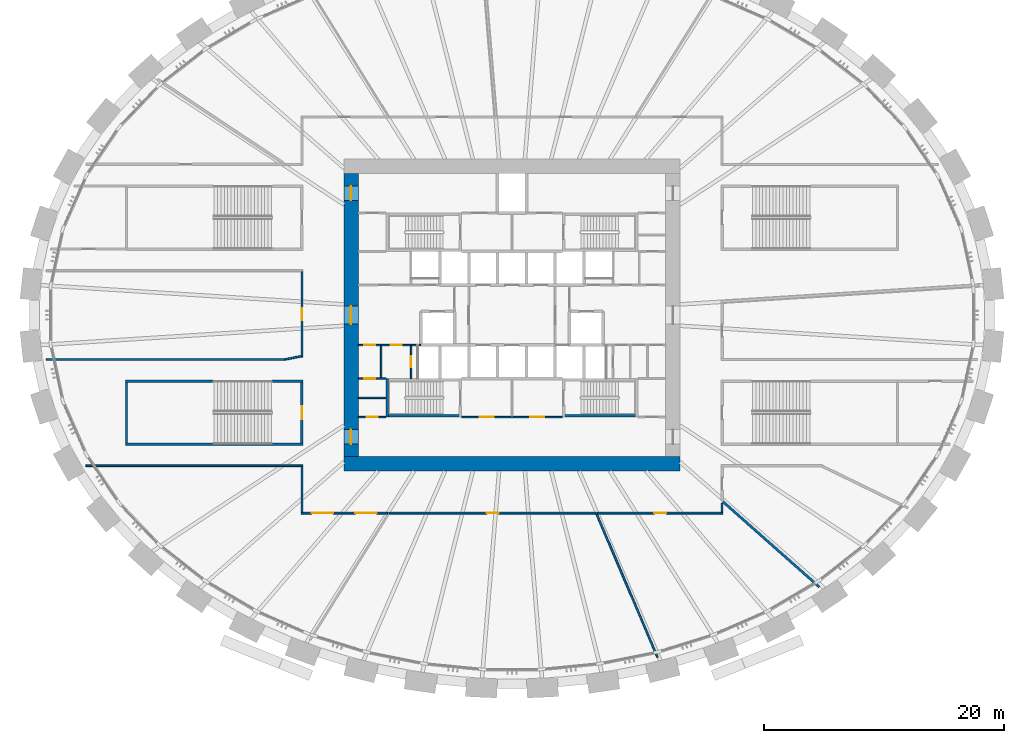
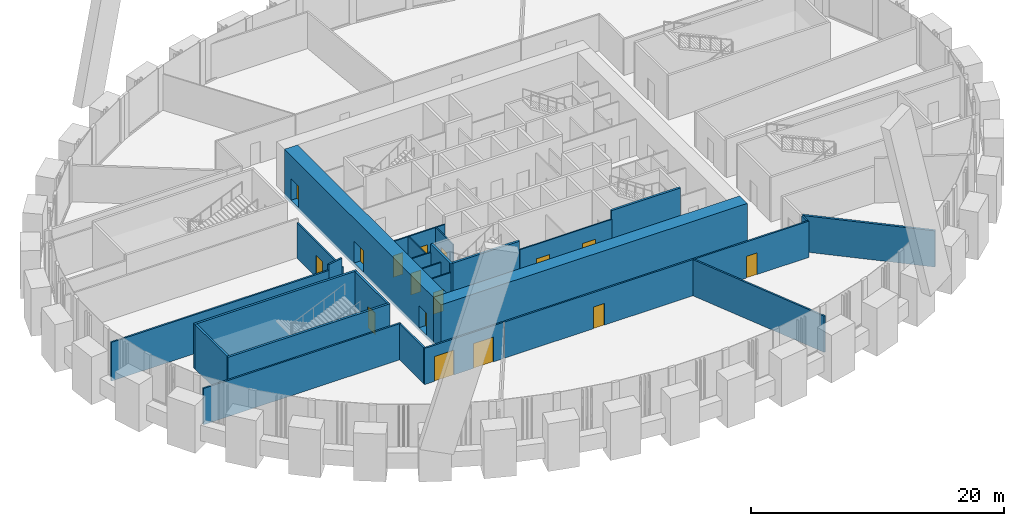
# One storey, part 6 of 21: 27 walls, 16 doors, 16 openings.
"""IFC4 building model written with IfcOpenShell, lengths in metres."""

from ifc_helpers import new_model, si_unit, direction, frame, frame_2d, origin, place, context, subcontext, project, spatial, rectangle, extrude, source, transform, mapped, material, layer, layer_set, type_object, element, fill, save


model = new_model("IFC4")

# Units and contexts
model_context = context("Model", 3, precision=1e-05, world=origin(), true_north=direction((0.0, 1.0)))
body_context = subcontext(model_context, "Body", "Model", "MODEL_VIEW")
ifc_project = project(units=[si_unit("LENGTHUNIT", "METRE"), si_unit("AREAUNIT", "SQUARE_METRE"), si_unit("VOLUMEUNIT", "CUBIC_METRE"), si_unit("PLANEANGLEUNIT", "RADIAN"), si_unit("MASSUNIT", "GRAM", prefix="KILO")], contexts=[model_context])

# Site, building, storey
site_placement = place(None, origin())
site = spatial("IfcSite", under=ifc_project, at=site_placement, CompositionType="ELEMENT")
building_placement = place(site_placement, origin())
building = spatial("IfcBuilding", under=site, at=building_placement, Name="Embergate Tower", CompositionType="ELEMENT")
storey_placement = place(building_placement, frame((0.0, 0.0, 33.5)))
storey = spatial("IfcBuildingStorey", under=building, at=storey_placement, Name="L04", CompositionType="ELEMENT", Elevation=33.5)

# Wall
ifc_material_1 = material(Name="Concrete C80", Category="concrete")
ifc_layer_1 = layer(ifc_material_1, 1.199951171875)
ifc_layer_set_1 = layer_set([ifc_layer_1], Name="Concrete C80")
wall_type_1 = type_object("IfcWallType", Name="Core outer wall C80 1200", PredefinedType="SHEAR", material=ifc_layer_set_1)
shared_shape_1 = source(origin(), body_context, "Body", "SweptSolid", [
    extrude(rectangle(XDim=28.0, YDim=1.199951171875, at=frame_2d((14.0, 0.0))), origin(), (0.0, 0.0, 1.0), 4.60009765625),
])
wall_1_placement = place(storey_placement, frame((-14.0, -12.39990234375, -0.300048828125), z_axis=(0.0, 0.0, 1.0), x_axis=(1.0, 0.0, 0.0)))
element("IfcWall", 1, at=wall_1_placement, inside=storey, type_object=wall_type_1, Name="CW-L04-S", PredefinedType="SHEAR", context=body_context, shape_type="MappedRepresentation", body=[
    mapped(shared_shape_1, transform((0.0, 0.0, 0.0))),
])

# Wall, openings, doors
shared_shape_2 = source(origin(), body_context, "Body", "SweptSolid", [
    extrude(rectangle(XDim=23.60009765625, YDim=1.199951171875, at=frame_2d((11.800048828125, 0.0))), origin(), (0.0, 0.0, 1.0), 4.60009765625),
])
wall_2_placement = place(storey_placement, frame((-13.39990234375, -11.800048828125, -0.300048828125), z_axis=(0.0, 0.0, 1.0), x_axis=(0.0, 1.0, 0.0)))
wall_2 = element("IfcWall", 2, at=wall_2_placement, inside=storey, type_object=wall_type_1, Name="CW-L04-W", PredefinedType="SHEAR", context=body_context, shape_type="MappedRepresentation", body=[
    mapped(shared_shape_2, transform((0.0, 0.0, 0.0))),
])
shared_shape_3 = source(origin(), body_context, "Body", "SweptSolid", [
    extrude(rectangle(XDim=1.199951171875, YDim=2.10009765625, at=frame_2d((0.60009765625, 1.050048828125))), frame((0.0, 0.60986328125, 0.0), z_axis=(0.0, -1.0, 0.0), x_axis=(1.0, 0.0, 0.0)), (0.0, 0.0, 1.0), 1.219970703125),
])
opening_1_placement = place(wall_2_placement, frame((21.35009765625, 0.0, 0.300048828125)))
opening_1 = element("IfcOpeningElement", 3, at=opening_1_placement, cuts=wall_2, Name="Opening IF-1", PredefinedType="OPENING", context=body_context, shape_type="MappedRepresentation", body=[
    mapped(shared_shape_3, transform((0.0, 0.0, 0.0))),
])
opening_2_placement = place(wall_2_placement, frame((1.050048828125, 0.0, 0.300048828125)))
opening_2 = element("IfcOpeningElement", 4, at=opening_2_placement, cuts=wall_2, Name="Opening IF-1", PredefinedType="OPENING", context=body_context, shape_type="MappedRepresentation", body=[
    mapped(shared_shape_3, transform((0.0, 0.0, 0.0))),
])
shared_shape_4 = source(origin(), body_context, "Body", "SweptSolid", [
    extrude(rectangle(XDim=1.5, YDim=2.10009765625, at=frame_2d((0.75, 1.050048828125))), frame((0.0, 0.60986328125, 0.0), z_axis=(0.0, -1.0, 0.0), x_axis=(1.0, 0.0, 0.0)), (0.0, 0.0, 1.0), 1.219970703125),
])
opening_3_placement = place(wall_2_placement, frame((11.050048828125, 0.0, 0.300048828125)))
opening_3 = element("IfcOpeningElement", 5, at=opening_3_placement, cuts=wall_2, Name="Opening IF-3", PredefinedType="OPENING", context=body_context, shape_type="MappedRepresentation", body=[
    mapped(shared_shape_4, transform((0.0, 0.0, 0.0))),
])
ifc_material_2 = material(Name="Escape fire door 1200")
door_type_1 = type_object("IfcDoorType", Name="Escape fire door 1200", OperationType="SINGLE_SWING_LEFT", PredefinedType="DOOR", material=ifc_material_2)
shared_shape_5 = source(origin(), body_context, "Body", "SweptSolid", [
    extrude(rectangle(XDim=1.199951171875, YDim=2.10009765625, at=frame_2d((0.60009765625, 1.050048828125))), frame((0.0, 0.02490234375, 0.0), z_axis=(0.0, -1.0, 0.0), x_axis=(1.0, 0.0, 0.0)), (0.0, 0.0, 1.0), 0.050048828125),
])
door_1_placement = place(opening_1_placement, origin())
door_1 = element("IfcDoor", 6, at=door_1_placement, inside=storey, type_object=door_type_1, Name="IF-1 door", OperationType="SINGLE_SWING_RIGHT", OverallHeight=2.10009765625, OverallWidth=1.199951171875, PredefinedType="DOOR", context=body_context, shape_type="MappedRepresentation", body=[
    mapped(shared_shape_5, transform((0.0, 0.0, 0.0))),
])
fill(opening_1, door_1)
door_2_placement = place(opening_2_placement, origin())
door_2 = element("IfcDoor", 7, at=door_2_placement, inside=storey, type_object=door_type_1, Name="IF-1 door", OperationType="SINGLE_SWING_RIGHT", OverallHeight=2.10009765625, OverallWidth=1.199951171875, PredefinedType="DOOR", context=body_context, shape_type="MappedRepresentation", body=[
    mapped(shared_shape_5, transform((0.0, 0.0, 0.0))),
])
fill(opening_2, door_2)
ifc_material_3 = material(Name="Lobby fire door pair 1500")
door_type_2 = type_object("IfcDoorType", Name="Lobby fire door pair 1500", OperationType="DOUBLE_DOOR_SINGLE_SWING", PredefinedType="DOOR", material=ifc_material_3)
shared_shape_6 = source(origin(), body_context, "Body", "SweptSolid", [
    extrude(rectangle(XDim=1.5, YDim=2.10009765625, at=frame_2d((0.75, 1.050048828125))), frame((0.0, 0.02490234375, 0.0), z_axis=(0.0, -1.0, 0.0), x_axis=(1.0, 0.0, 0.0)), (0.0, 0.0, 1.0), 0.050048828125),
])
door_3_placement = place(opening_3_placement, origin())
door_3 = element("IfcDoor", 8, at=door_3_placement, inside=storey, type_object=door_type_2, Name="IF-3 door", OperationType="DOUBLE_DOOR_SINGLE_SWING", OverallHeight=2.10009765625, OverallWidth=1.5, PredefinedType="DOOR", context=body_context, shape_type="MappedRepresentation", body=[
    mapped(shared_shape_6, transform((0.0, 0.0, 0.0))),
])
fill(opening_3, door_3)

# Walls
ifc_material_4 = material(Name="Concrete C50", Category="concrete")
ifc_layer_2 = layer(ifc_material_4, 0.199951171875)
ifc_layer_set_2 = layer_set([ifc_layer_2], Name="Concrete C50")
wall_type_2 = type_object("IfcWallType", Name="Stair enclosure wall reinforced concrete 250", PredefinedType="SHEAR", material=ifc_layer_set_2)
shared_shape_7 = source(origin(), body_context, "Body", "SweptSolid", [
    extrude(rectangle(XDim=6.300048828125, YDim=0.199951171875, at=frame_2d((3.14990234375, 0.0))), origin(), (0.0, 0.0, 1.0), 4.300048828125),
])
for number, where, z_axis, x_axis, name in (
    (9, (-10.5, -8.39990234375, 0.0), (0.0, 0.0, 1.0), (1.0, 0.0, 0.0), "SE-1 wall"),
    (10, (4.199951171875, -8.39990234375, 0.0), (0.0, 0.0, 1.0), (1.0, 0.0, 0.0), "SE-1 wall"),
):
    element("IfcWall", number, at=place(storey_placement, frame(where, z_axis=z_axis, x_axis=x_axis)), inside=storey, type_object=wall_type_2, Name=name, PredefinedType="SHEAR", context=body_context, shape_type="MappedRepresentation", body=[
        mapped(shared_shape_7, transform((0.0, 0.0, 0.0))),
    ])

# Wall, opening, door
ifc_material_5 = material(Name="Core partition blockwork 120")
ifc_layer_3 = layer(ifc_material_5, 0.1201171875)
ifc_layer_set_3 = layer_set([ifc_layer_3], Name="Core partition blockwork 120")
wall_type_3 = type_object("IfcWallType", Name="Core partition blockwork 120", PredefinedType="PARTITIONING", material=ifc_layer_set_3)
shared_shape_8 = source(origin(), body_context, "Body", "SweptSolid", [
    extrude(rectangle(XDim=2.739990234375, YDim=0.1201171875, at=frame_2d((1.3701171875, 0.0))), origin(), (0.0, 0.0, 1.0), 3.5),
])
wall_3_placement = place(storey_placement, frame((-8.39990234375, -2.56005859375, 0.0), z_axis=(0.0, 0.0, 1.0), x_axis=(0.0, -1.0, 0.0)))
wall_3 = element("IfcWall", 11, at=wall_3_placement, inside=storey, type_object=wall_type_3, Name="IP-3 wall", PredefinedType="PARTITIONING", context=body_context, shape_type="MappedRepresentation", body=[
    mapped(shared_shape_8, transform((0.0, 0.0, 0.0))),
])
shared_shape_9 = source(origin(), body_context, "Body", "SweptSolid", [
    extrude(rectangle(XDim=0.89990234375, YDim=2.10009765625, at=frame_2d((0.449951171875, 1.050048828125))), frame((0.0, 0.070068359375, 0.0), z_axis=(0.0, -1.0, 0.0), x_axis=(1.0, 0.0, 0.0)), (0.0, 0.0, 1.0), 0.14013671875),
])
opening_4_placement = place(wall_3_placement, frame((0.889892578125, 0.0, 0.0)))
opening_4 = element("IfcOpeningElement", 12, at=opening_4_placement, cuts=wall_3, Name="Opening ID-1", PredefinedType="OPENING", context=body_context, shape_type="MappedRepresentation", body=[
    mapped(shared_shape_9, transform((0.0, 0.0, 0.0))),
])
ifc_material_6 = material(Name="Interior door 900")
door_type_3 = type_object("IfcDoorType", Name="Interior door 900", OperationType="SINGLE_SWING_LEFT", PredefinedType="DOOR", material=ifc_material_6)
shared_shape_10 = source(origin(), body_context, "Body", "SweptSolid", [
    extrude(rectangle(XDim=0.89990234375, YDim=2.10009765625, at=frame_2d((0.449951171875, 1.050048828125))), frame((0.0, 0.02490234375, 0.0), z_axis=(0.0, -1.0, 0.0), x_axis=(1.0, 0.0, 0.0)), (0.0, 0.0, 1.0), 0.050048828125),
])
door_4_placement = place(opening_4_placement, origin())
door_4 = element("IfcDoor", 13, at=door_4_placement, inside=storey, type_object=door_type_3, Name="ID-1 door", OperationType="SINGLE_SWING_RIGHT", OverallHeight=2.10009765625, OverallWidth=0.89990234375, PredefinedType="DOOR", context=body_context, shape_type="MappedRepresentation", body=[
    mapped(shared_shape_10, transform((0.0, 0.0, 0.0))),
])
fill(opening_4, door_4)

# Wall, openings, doors
shared_shape_11 = source(origin(), body_context, "Body", "SweptSolid", [
    extrude(rectangle(XDim=5.199951171875, YDim=0.1201171875, at=frame_2d((2.60009765625, 0.0))), origin(), (0.0, 0.0, 1.0), 3.5),
])
wall_4_placement = place(storey_placement, frame((-7.60009765625, -2.5, 0.0), z_axis=(0.0, 0.0, 1.0), x_axis=(-1.0, 0.0, 0.0)))
wall_4 = element("IfcWall", 14, at=wall_4_placement, inside=storey, type_object=wall_type_3, Name="IP-3 wall", PredefinedType="PARTITIONING", context=body_context, shape_type="MappedRepresentation", body=[
    mapped(shared_shape_11, transform((0.0, 0.0, 0.0))),
])
opening_5_placement = place(wall_4_placement, frame((3.803955078125, 0.0, 0.0)))
opening_5 = element("IfcOpeningElement", 15, at=opening_5_placement, cuts=wall_4, Name="Opening ID-1", PredefinedType="OPENING", context=body_context, shape_type="MappedRepresentation", body=[
    mapped(shared_shape_9, transform((0.0, 0.0, 0.0))),
])
opening_6_placement = place(wall_4_placement, frame((1.60400390625, 0.0, 0.0)))
opening_6 = element("IfcOpeningElement", 16, at=opening_6_placement, cuts=wall_4, Name="Opening ID-1", PredefinedType="OPENING", context=body_context, shape_type="MappedRepresentation", body=[
    mapped(shared_shape_9, transform((0.0, 0.0, 0.0))),
])
door_5_placement = place(opening_5_placement, origin())
door_5 = element("IfcDoor", 17, at=door_5_placement, inside=storey, type_object=door_type_3, Name="ID-1 door", OperationType="SINGLE_SWING_LEFT", OverallHeight=2.10009765625, OverallWidth=0.89990234375, PredefinedType="DOOR", context=body_context, shape_type="MappedRepresentation", body=[
    mapped(shared_shape_10, transform((0.0, 0.0, 0.0))),
])
fill(opening_5, door_5)
door_6_placement = place(opening_6_placement, origin())
door_6 = element("IfcDoor", 18, at=door_6_placement, inside=storey, type_object=door_type_3, Name="ID-1 door", OperationType="SINGLE_SWING_LEFT", OverallHeight=2.10009765625, OverallWidth=0.89990234375, PredefinedType="DOOR", context=body_context, shape_type="MappedRepresentation", body=[
    mapped(shared_shape_10, transform((0.0, 0.0, 0.0))),
])
fill(opening_6, door_6)

# Wall
shared_shape_12 = source(origin(), body_context, "Body", "SweptSolid", [
    extrude(rectangle(XDim=3.199951171875, YDim=0.199951171875, at=frame_2d((1.60009765625, 0.0))), origin(), (0.0, 0.0, 1.0), 4.300048828125),
])
wall_5_placement = place(storey_placement, frame((-10.39990234375, -5.300048828125, 0.0), z_axis=(0.0, 0.0, 1.0), x_axis=(0.0, -1.0, 0.0)))
element("IfcWall", 19, at=wall_5_placement, inside=storey, type_object=wall_type_2, Name="SE-1 wall", PredefinedType="SHEAR", context=body_context, shape_type="MappedRepresentation", body=[
    mapped(shared_shape_12, transform((0.0, 0.0, 0.0))),
])

# Wall, openings, doors
shared_shape_13 = source(origin(), body_context, "Body", "SweptSolid", [
    extrude(rectangle(XDim=8.39990234375, YDim=0.1201171875, at=frame_2d((4.199951171875, 0.0))), origin(), (0.0, 0.0, 1.0), 3.5),
])
wall_6_placement = place(storey_placement, frame((-4.199951171875, -8.5, 0.0), z_axis=(0.0, 0.0, 1.0), x_axis=(1.0, 0.0, 0.0)))
wall_6 = element("IfcWall", 20, at=wall_6_placement, inside=storey, type_object=wall_type_3, Name="IP-3 wall", PredefinedType="PARTITIONING", context=body_context, shape_type="MappedRepresentation", body=[
    mapped(shared_shape_13, transform((0.0, 0.0, 0.0))),
])
shared_shape_14 = source(origin(), body_context, "Body", "SweptSolid", [
    extrude(rectangle(XDim=1.199951171875, YDim=2.10009765625, at=frame_2d((0.60009765625, 1.050048828125))), frame((0.0, 0.070068359375, 0.0), z_axis=(0.0, -1.0, 0.0), x_axis=(1.0, 0.0, 0.0)), (0.0, 0.0, 1.0), 0.14013671875),
])
opening_7_placement = place(wall_6_placement, frame((1.5, 0.0, 0.0)))
opening_7 = element("IfcOpeningElement", 21, at=opening_7_placement, cuts=wall_6, Name="Opening IF-3f", PredefinedType="OPENING", context=body_context, shape_type="MappedRepresentation", body=[
    mapped(shared_shape_14, transform((0.0, 0.0, 0.0))),
])
opening_8_placement = place(wall_6_placement, frame((5.699951171875, 0.0, 0.0)))
opening_8 = element("IfcOpeningElement", 22, at=opening_8_placement, cuts=wall_6, Name="Opening IF-3f", PredefinedType="OPENING", context=body_context, shape_type="MappedRepresentation", body=[
    mapped(shared_shape_14, transform((0.0, 0.0, 0.0))),
])
ifc_material_7 = material(Name="Lobby fire door pair 1200")
door_type_4 = type_object("IfcDoorType", Name="Lobby fire door pair 1200", OperationType="DOUBLE_DOOR_SINGLE_SWING", PredefinedType="DOOR", material=ifc_material_7)
door_7_placement = place(opening_7_placement, origin())
door_7 = element("IfcDoor", 23, at=door_7_placement, inside=storey, type_object=door_type_4, Name="IF-3 door", OperationType="DOUBLE_DOOR_SINGLE_SWING", OverallHeight=2.10009765625, OverallWidth=1.199951171875, PredefinedType="DOOR", context=body_context, shape_type="MappedRepresentation", body=[
    mapped(shared_shape_5, transform((0.0, 0.0, 0.0))),
])
fill(opening_7, door_7)
door_8_placement = place(opening_8_placement, origin())
door_8 = element("IfcDoor", 24, at=door_8_placement, inside=storey, type_object=door_type_4, Name="IF-3 door", OperationType="DOUBLE_DOOR_SINGLE_SWING", OverallHeight=2.10009765625, OverallWidth=1.199951171875, PredefinedType="DOOR", context=body_context, shape_type="MappedRepresentation", body=[
    mapped(shared_shape_5, transform((0.0, 0.0, 0.0))),
])
fill(opening_8, door_8)

# Wall, opening, door
shared_shape_15 = source(origin(), body_context, "Body", "SweptSolid", [
    extrude(rectangle(XDim=2.300048828125, YDim=0.1201171875, at=frame_2d((1.14990234375, 0.0))), origin(), (0.0, 0.0, 1.0), 3.5),
])
wall_7_placement = place(storey_placement, frame((-10.5, -8.5, 0.0), z_axis=(0.0, 0.0, 1.0), x_axis=(-1.0, 0.0, 0.0)))
wall_7 = element("IfcWall", 25, at=wall_7_placement, inside=storey, type_object=wall_type_3, Name="IP-3 wall", PredefinedType="PARTITIONING", context=body_context, shape_type="MappedRepresentation", body=[
    mapped(shared_shape_15, transform((0.0, 0.0, 0.0))),
])
opening_9_placement = place(wall_7_placement, frame((0.699951171875, 0.0, 0.0)))
opening_9 = element("IfcOpeningElement", 26, at=opening_9_placement, cuts=wall_7, Name="Opening ID-1", PredefinedType="OPENING", context=body_context, shape_type="MappedRepresentation", body=[
    mapped(shared_shape_9, transform((0.0, 0.0, 0.0))),
])
door_9_placement = place(opening_9_placement, origin())
door_9 = element("IfcDoor", 27, at=door_9_placement, inside=storey, type_object=door_type_3, Name="ID-1 door", OperationType="SINGLE_SWING_LEFT", OverallHeight=2.10009765625, OverallWidth=0.89990234375, PredefinedType="DOOR", context=body_context, shape_type="MappedRepresentation", body=[
    mapped(shared_shape_10, transform((0.0, 0.0, 0.0))),
])
fill(opening_9, door_9)

wall_8_placement = place(storey_placement, frame((-12.800048828125, -5.300048828125, 0.0), z_axis=(0.0, 0.0, 1.0), x_axis=(1.0, 0.0, 0.0)))
wall_8 = element("IfcWall", 28, at=wall_8_placement, inside=storey, type_object=wall_type_3, Name="IP-3 wall", PredefinedType="PARTITIONING", context=body_context, shape_type="MappedRepresentation", body=[
    mapped(shared_shape_15, transform((0.0, 0.0, 0.0))),
])
opening_10_placement = place(wall_8_placement, frame((0.49609375, 0.0, 0.0)))
opening_10 = element("IfcOpeningElement", 29, at=opening_10_placement, cuts=wall_8, Name="Opening ID-1", PredefinedType="OPENING", context=body_context, shape_type="MappedRepresentation", body=[
    mapped(shared_shape_9, transform((0.0, 0.0, 0.0))),
])
door_10_placement = place(opening_10_placement, origin())
door_10 = element("IfcDoor", 30, at=door_10_placement, inside=storey, type_object=door_type_3, Name="ID-1 door", OperationType="SINGLE_SWING_RIGHT", OverallHeight=2.10009765625, OverallWidth=0.89990234375, PredefinedType="DOOR", context=body_context, shape_type="MappedRepresentation", body=[
    mapped(shared_shape_10, transform((0.0, 0.0, 0.0))),
])
fill(opening_10, door_10)

# Walls
wall_9_placement = place(storey_placement, frame((-10.5, -6.89990234375, 0.0), z_axis=(0.0, 0.0, 1.0), x_axis=(-1.0, 0.0, 0.0)))
element("IfcWall", 31, at=wall_9_placement, inside=storey, type_object=wall_type_3, Name="IP-3 wall", PredefinedType="PARTITIONING", context=body_context, shape_type="MappedRepresentation", body=[
    mapped(shared_shape_15, transform((0.0, 0.0, 0.0))),
])
shared_shape_16 = source(origin(), body_context, "Body", "SweptSolid", [
    extrude(rectangle(XDim=2.679931640625, YDim=0.1201171875, at=frame_2d((1.33984375, 0.0))), origin(), (0.0, 0.0, 1.0), 3.5),
])
wall_10_placement = place(storey_placement, frame((-10.907958984375, -5.239990234375, 0.0), z_axis=(0.0, 0.0, 1.0), x_axis=(0.0, 1.0, 0.0)))
element("IfcWall", 32, at=wall_10_placement, inside=storey, type_object=wall_type_3, Name="IP-3 wall", PredefinedType="PARTITIONING", context=body_context, shape_type="MappedRepresentation", body=[
    mapped(shared_shape_16, transform((0.0, 0.0, 0.0))),
])
ifc_material_8 = material(Name="Plasterboard on steel stud", Category="steel")
ifc_layer_4 = layer(ifc_material_8, 0.14990234375)
ifc_layer_set_4 = layer_set([ifc_layer_4], Name="Plasterboard on steel stud")
wall_type_4 = type_object("IfcWallType", Name="Partition wall 150 board", PredefinedType="PARTITIONING", material=ifc_layer_set_4)
shared_shape_17 = source(origin(), body_context, "Body", "SweptSolid", [
    extrude(rectangle(XDim=18.06787109375, YDim=0.14990234375, at=frame_2d((9.033935546875, 0.0))), origin(), (0.0, 0.0, 1.0), 3.5),
])
wall_11_placement = place(storey_placement, frame((-35.492919921875, -12.550048828125, 0.0), z_axis=(0.0, 0.0, 1.0), x_axis=(1.0, 0.0, 0.0)))
element("IfcWall", 33, at=wall_11_placement, inside=storey, type_object=wall_type_4, Name="Partition 003", PredefinedType="PARTITIONING", context=body_context, shape_type="MappedRepresentation", body=[
    mapped(shared_shape_17, transform((0.0, 0.0, 0.0))),
])
ifc_material_9 = material(Name="Concrete C40", Category="concrete")
ifc_layer_5 = layer(ifc_material_9, 0.199951171875)
ifc_layer_set_5 = layer_set([ifc_layer_5], Name="Concrete C40")
wall_type_5 = type_object("IfcWallType", Name="Stair enclosure wall RC 200", PredefinedType="STANDARD", material=ifc_layer_set_5)
shared_shape_18 = source(origin(), body_context, "Body", "SweptSolid", [
    extrude(rectangle(XDim=5.0498046875, YDim=0.199951171875, at=frame_2d((2.52490234375, 0.0))), origin(), (0.0, 0.0, 1.0), 4.300048828125),
])
wall_12_placement = place(storey_placement, frame((-32.1201171875, -10.64990234375, 0.0), z_axis=(0.0, 0.0, 1.0), x_axis=(0.0, 1.0, 0.0)))
element("IfcWall", 34, at=wall_12_placement, inside=storey, type_object=wall_type_5, Name="Stair wall 004", PredefinedType="STANDARD", context=body_context, shape_type="MappedRepresentation", body=[
    mapped(shared_shape_18, transform((0.0, 0.0, 0.0))),
])

# Wall, opening, door
wall_13_placement = place(storey_placement, frame((-17.5, -10.64990234375, 0.0), z_axis=(0.0, 0.0, 1.0), x_axis=(0.0, 1.0, 0.0)))
wall_13 = element("IfcWall", 35, at=wall_13_placement, inside=storey, type_object=wall_type_5, Name="Stair wall 013", PredefinedType="STANDARD", context=body_context, shape_type="MappedRepresentation", body=[
    mapped(shared_shape_18, transform((0.0, 0.0, 0.0))),
])
shared_shape_19 = source(origin(), body_context, "Body", "SweptSolid", [
    extrude(rectangle(XDim=1.10009765625, YDim=2.10009765625, at=frame_2d((0.550048828125, 1.050048828125))), frame((0.0, 0.10986328125, 0.0), z_axis=(0.0, -1.0, 0.0), x_axis=(1.0, 0.0, 0.0)), (0.0, 0.0, 1.0), 0.219970703125),
])
opening_11_placement = place(wall_13_placement, frame((1.97509765625, 0.0, 0.0)))
opening_11 = element("IfcOpeningElement", 36, at=opening_11_placement, cuts=wall_13, Name="Opening DS-103", PredefinedType="OPENING", context=body_context, shape_type="MappedRepresentation", body=[
    mapped(shared_shape_19, transform((0.0, 0.0, 0.0))),
])
ifc_material_10 = material(Name="Steel fire door leaf", Category="steel")
door_type_5 = type_object("IfcDoorType", Name="Fire door class B 1100x2100", OperationType="SINGLE_SWING_LEFT", PredefinedType="DOOR", material=ifc_material_10)
shared_shape_20 = source(origin(), body_context, "Body", "SweptSolid", [
    extrude(rectangle(XDim=1.10009765625, YDim=2.10009765625, at=frame_2d((0.550048828125, 1.050048828125))), frame((0.0, 0.02490234375, 0.0), z_axis=(0.0, -1.0, 0.0), x_axis=(1.0, 0.0, 0.0)), (0.0, 0.0, 1.0), 0.050048828125),
])
door_11_placement = place(opening_11_placement, origin())
door_11 = element("IfcDoor", 37, at=door_11_placement, inside=storey, type_object=door_type_5, Name="Door to Exit stair enclosure", OperationType="SINGLE_SWING_LEFT", OverallHeight=2.10009765625, OverallWidth=1.10009765625, PredefinedType="DOOR", context=body_context, shape_type="MappedRepresentation", body=[
    mapped(shared_shape_20, transform((0.0, 0.0, 0.0))),
])
fill(opening_11, door_11)

# Walls
shared_shape_21 = source(origin(), body_context, "Body", "SweptSolid", [
    extrude(rectangle(XDim=14.820068359375, YDim=0.199951171875, at=frame_2d((7.41015625, 0.0))), origin(), (0.0, 0.0, 1.0), 4.300048828125),
])
for number, where, z_axis, x_axis, name in (
    (38, (-32.219970703125, -10.75, 0.0), (0.0, 0.0, 1.0), (1.0, 0.0, 0.0), "Stair wall 005"),
    (39, (-17.39990234375, -5.5, 0.0), (0.0, 0.0, 1.0), (-1.0, 0.0, 0.0), "Stair wall 014"),
):
    element("IfcWall", number, at=place(storey_placement, frame(where, z_axis=z_axis, x_axis=x_axis)), inside=storey, type_object=wall_type_5, Name=name, PredefinedType="STANDARD", context=body_context, shape_type="MappedRepresentation", body=[
        mapped(shared_shape_21, transform((0.0, 0.0, 0.0))),
    ])
shared_shape_22 = source(origin(), body_context, "Body", "SweptSolid", [
    extrude(rectangle(XDim=19.85888671875, YDim=0.14990234375, at=frame_2d((9.929443359375, 0.0))), origin(), (0.0, 0.0, 1.0), 3.75),
])
wall_14_placement = place(storey_placement, frame((-18.925048828125, -3.699951171875, 0.0), z_axis=(0.0, 0.0, 1.0), x_axis=(-1.0, 0.0, 0.0)))
element("IfcWall", 40, at=wall_14_placement, inside=storey, type_object=wall_type_4, Name="Partition 009", PredefinedType="PARTITIONING", context=body_context, shape_type="MappedRepresentation", body=[
    mapped(shared_shape_22, transform((0.0, 0.0, 0.0))),
])
shared_shape_23 = source(origin(), body_context, "Body", "SweptSolid", [
    extrude(rectangle(XDim=3.800048828125, YDim=0.14990234375, at=frame_2d((1.89990234375, 0.0))), origin(), (0.0, 0.0, 1.0), 3.5),
])
wall_15_placement = place(storey_placement, frame((-17.5, -16.425048828125, 0.0), z_axis=(0.0, 0.0, 1.0), x_axis=(0.0, 1.0, 0.0)))
element("IfcWall", 41, at=wall_15_placement, inside=storey, type_object=wall_type_4, Name="Partition 012", PredefinedType="PARTITIONING", context=body_context, shape_type="MappedRepresentation", body=[
    mapped(shared_shape_23, transform((0.0, 0.0, 0.0))),
])
shared_shape_24 = source(origin(), body_context, "Body", "SweptSolid", [
    extrude(rectangle(XDim=1.376708984375, YDim=0.14990234375, at=frame_2d((0.6884765625, 0.0))), origin(), (0.0, 0.0, 1.0), 4.300048828125),
])
wall_16_placement = place(storey_placement, frame((-17.573974609375, -3.43505859375, 0.0), z_axis=(0.0, 0.0, 1.0), x_axis=(-0.981317032116, -0.192397719524, 0.0)))
element("IfcWall", 42, at=wall_16_placement, inside=storey, type_object=wall_type_4, Name="Partition 015", PredefinedType="PARTITIONING", context=body_context, shape_type="MappedRepresentation", body=[
    mapped(shared_shape_24, transform((0.0, 0.0, 0.0))),
])

# Wall, opening, door
shared_shape_25 = source(origin(), body_context, "Body", "SweptSolid", [
    extrude(rectangle(XDim=7.12109375, YDim=0.14990234375, at=frame_2d((3.560546875, 0.0))), origin(), (0.0, 0.0, 1.0), 3.39990234375),
])
wall_17_placement = place(storey_placement, frame((-17.5, -3.49609375, 0.0), z_axis=(0.0, 0.0, 1.0), x_axis=(0.0, 1.0, 0.0)))
wall_17 = element("IfcWall", 43, at=wall_17_placement, inside=storey, type_object=wall_type_4, Name="Partition 016", PredefinedType="PARTITIONING", context=body_context, shape_type="MappedRepresentation", body=[
    mapped(shared_shape_25, transform((0.0, 0.0, 0.0))),
])
shared_shape_26 = source(origin(), body_context, "Body", "SweptSolid", [
    extrude(rectangle(XDim=1.0, YDim=2.10009765625, at=frame_2d((0.5, 1.050048828125))), frame((0.0, 0.0849609375, 0.0), z_axis=(0.0, -1.0, 0.0), x_axis=(1.0, 0.0, 0.0)), (0.0, 0.0, 1.0), 0.169921875),
])
opening_12_placement = place(wall_17_placement, frame((3.06103515625, 0.0, 0.0)))
opening_12 = element("IfcOpeningElement", 44, at=opening_12_placement, cuts=wall_17, Name="Opening DS-092", PredefinedType="OPENING", context=body_context, shape_type="MappedRepresentation", body=[
    mapped(shared_shape_26, transform((0.0, 0.0, 0.0))),
])
ifc_material_11 = material(Name="Timber door leaf, steel frame", Category="steel")
door_type_6 = type_object("IfcDoorType", Name="Single door 1000x2100", OperationType="SINGLE_SWING_LEFT", PredefinedType="DOOR", material=ifc_material_11)
shared_shape_27 = source(origin(), body_context, "Body", "SweptSolid", [
    extrude(rectangle(XDim=1.0, YDim=2.10009765625, at=frame_2d((0.5, 1.050048828125))), frame((0.0, 0.02490234375, 0.0), z_axis=(0.0, -1.0, 0.0), x_axis=(1.0, 0.0, 0.0)), (0.0, 0.0, 1.0), 0.050048828125),
])
door_12_placement = place(opening_12_placement, origin())
door_12 = element("IfcDoor", 45, at=door_12_placement, inside=storey, type_object=door_type_6, Name="Door to Changing room", OperationType="SINGLE_SWING_LEFT", OverallHeight=2.10009765625, OverallWidth=1.0, PredefinedType="DOOR", context=body_context, shape_type="MappedRepresentation", body=[
    mapped(shared_shape_27, transform((0.0, 0.0, 0.0))),
])
fill(opening_12, door_12)

# Wall, openings, doors
shared_shape_28 = source(origin(), body_context, "Body", "SweptSolid", [
    extrude(rectangle(XDim=7.2060546875, YDim=0.14990234375, at=frame_2d((3.60302734375, 0.0))), origin(), (0.0, 0.0, 1.0), 3.5),
])
wall_18_placement = place(storey_placement, frame((-10.368896484375, -16.5, 0.0), z_axis=(0.0, 0.0, 1.0), x_axis=(-1.0, 0.0, 0.0)))
wall_18 = element("IfcWall", 46, at=wall_18_placement, inside=storey, type_object=wall_type_4, Name="Partition 022", PredefinedType="PARTITIONING", context=body_context, shape_type="MappedRepresentation", body=[
    mapped(shared_shape_28, transform((0.0, 0.0, 0.0))),
])
shared_shape_29 = source(origin(), body_context, "Body", "SweptSolid", [
    extrude(rectangle(XDim=1.800048828125, YDim=2.39990234375, at=frame_2d((0.89990234375, 1.199951171875))), frame((0.0, 0.0849609375, 0.0), z_axis=(0.0, -1.0, 0.0), x_axis=(1.0, 0.0, 0.0)), (0.0, 0.0, 1.0), 0.169921875),
])
opening_13_placement = place(wall_18_placement, frame((0.90087890625, 0.0, 0.0)))
opening_13 = element("IfcOpeningElement", 47, at=opening_13_placement, cuts=wall_18, Name="Opening DS-093", PredefinedType="OPENING", context=body_context, shape_type="MappedRepresentation", body=[
    mapped(shared_shape_29, transform((0.0, 0.0, 0.0))),
])
opening_14_placement = place(wall_18_placement, frame((4.50390625, 0.0, 0.0)))
opening_14 = element("IfcOpeningElement", 48, at=opening_14_placement, cuts=wall_18, Name="Opening DS-094", PredefinedType="OPENING", context=body_context, shape_type="MappedRepresentation", body=[
    mapped(shared_shape_29, transform((0.0, 0.0, 0.0))),
])
door_type_7 = type_object("IfcDoorType", Name="Double door 1800x2400", OperationType="DOUBLE_DOOR_SINGLE_SWING", PredefinedType="DOOR", material=ifc_material_11)
shared_shape_30 = source(origin(), body_context, "Body", "SweptSolid", [
    extrude(rectangle(XDim=1.800048828125, YDim=2.39990234375, at=frame_2d((0.89990234375, 1.199951171875))), frame((0.0, 0.02490234375, 0.0), z_axis=(0.0, -1.0, 0.0), x_axis=(1.0, 0.0, 0.0)), (0.0, 0.0, 1.0), 0.050048828125),
])
door_13_placement = place(opening_13_placement, origin())
door_13 = element("IfcDoor", 49, at=door_13_placement, inside=storey, type_object=door_type_7, Name="Door to Members' lounge", OperationType="SINGLE_SWING_LEFT", OverallHeight=2.39990234375, OverallWidth=1.800048828125, PredefinedType="DOOR", context=body_context, shape_type="MappedRepresentation", body=[
    mapped(shared_shape_30, transform((0.0, 0.0, 0.0))),
])
fill(opening_13, door_13)
door_14_placement = place(opening_14_placement, origin())
door_14 = element("IfcDoor", 50, at=door_14_placement, inside=storey, type_object=door_type_7, Name="Door to Members' lounge", OperationType="SINGLE_SWING_LEFT", OverallHeight=2.39990234375, OverallWidth=1.800048828125, PredefinedType="DOOR", context=body_context, shape_type="MappedRepresentation", body=[
    mapped(shared_shape_30, transform((0.0, 0.0, 0.0))),
])
fill(opening_14, door_14)

# Wall, opening, door
shared_shape_31 = source(origin(), body_context, "Body", "SweptSolid", [
    extrude(rectangle(XDim=17.26513671875, YDim=0.14990234375, at=frame_2d((8.632568359375, 0.0))), origin(), (0.0, 0.0, 1.0), 3.5),
])
wall_19_placement = place(storey_placement, frame((7.01611328125, -16.5, 0.0), z_axis=(0.0, 0.0, 1.0), x_axis=(-1.0, 0.0, 0.0)))
wall_19 = element("IfcWall", 51, at=wall_19_placement, inside=storey, type_object=wall_type_4, Name="Partition 029", PredefinedType="PARTITIONING", context=body_context, shape_type="MappedRepresentation", body=[
    mapped(shared_shape_31, transform((0.0, 0.0, 0.0))),
])
opening_15_placement = place(wall_19_placement, frame((8.133056640625, 0.0, 0.0)))
opening_15 = element("IfcOpeningElement", 52, at=opening_15_placement, cuts=wall_19, Name="Opening DS-095", PredefinedType="OPENING", context=body_context, shape_type="MappedRepresentation", body=[
    mapped(shared_shape_26, transform((0.0, 0.0, 0.0))),
])
door_15_placement = place(opening_15_placement, origin())
door_15 = element("IfcDoor", 53, at=door_15_placement, inside=storey, type_object=door_type_6, Name="Door to Wellness store", OperationType="SINGLE_SWING_LEFT", OverallHeight=2.10009765625, OverallWidth=1.0, PredefinedType="DOOR", context=body_context, shape_type="MappedRepresentation", body=[
    mapped(shared_shape_27, transform((0.0, 0.0, 0.0))),
])
fill(opening_15, door_15)

# Wall
shared_shape_32 = source(origin(), body_context, "Body", "SweptSolid", [
    extrude(rectangle(XDim=12.985595703125, YDim=0.14990234375, at=frame_2d((6.49267578125, 0.0))), origin(), (0.0, 0.0, 1.0), 3.5),
])
wall_20_placement = place(storey_placement, frame((7.044921875, -16.569091796875, 0.0), z_axis=(0.0, 0.0, 1.0), x_axis=(0.391356006981, -0.920239357884, 0.0)))
element("IfcWall", 54, at=wall_20_placement, inside=storey, type_object=wall_type_4, Name="Partition 030", PredefinedType="PARTITIONING", context=body_context, shape_type="MappedRepresentation", body=[
    mapped(shared_shape_32, transform((0.0, 0.0, 0.0))),
])

# Wall, opening, door
shared_shape_33 = source(origin(), body_context, "Body", "SweptSolid", [
    extrude(rectangle(XDim=10.458984375, YDim=0.14990234375, at=frame_2d((5.2294921875, 0.0))), origin(), (0.0, 0.0, 1.0), 3.5),
])
wall_21_placement = place(storey_placement, frame((17.574951171875, -16.5, 0.0), z_axis=(0.0, 0.0, 1.0), x_axis=(-1.0, 0.0, 0.0)))
wall_21 = element("IfcWall", 55, at=wall_21_placement, inside=storey, type_object=wall_type_4, Name="Partition 033", PredefinedType="PARTITIONING", context=body_context, shape_type="MappedRepresentation", body=[
    mapped(shared_shape_33, transform((0.0, 0.0, 0.0))),
])
opening_16_placement = place(wall_21_placement, frame((4.72900390625, 0.0, 0.0)))
opening_16 = element("IfcOpeningElement", 56, at=opening_16_placement, cuts=wall_21, Name="Opening DS-096", PredefinedType="OPENING", context=body_context, shape_type="MappedRepresentation", body=[
    mapped(shared_shape_26, transform((0.0, 0.0, 0.0))),
])
door_16_placement = place(opening_16_placement, origin())
door_16 = element("IfcDoor", 57, at=door_16_placement, inside=storey, type_object=door_type_6, Name="Door to Private dining room", OperationType="SINGLE_SWING_LEFT", OverallHeight=2.10009765625, OverallWidth=1.0, PredefinedType="DOOR", context=body_context, shape_type="MappedRepresentation", body=[
    mapped(shared_shape_27, transform((0.0, 0.0, 0.0))),
])
fill(opening_16, door_16)

# Walls
shared_shape_34 = source(origin(), body_context, "Body", "SweptSolid", [
    extrude(rectangle(XDim=0.761962890625, YDim=0.14990234375, at=frame_2d((0.380859375, 0.0))), origin(), (0.0, 0.0, 1.0), 3.5),
])
wall_22_placement = place(storey_placement, frame((17.5, -15.6630859375, 0.0), z_axis=(0.0, 0.0, 1.0), x_axis=(0.0, -1.0, 0.0)))
element("IfcWall", 58, at=wall_22_placement, inside=storey, type_object=wall_type_4, Name="Partition 034", PredefinedType="PARTITIONING", context=body_context, shape_type="MappedRepresentation", body=[
    mapped(shared_shape_34, transform((0.0, 0.0, 0.0))),
])
ifc_material_12 = material(Name="Blockwork, plastered", Category="masonry")
ifc_layer_6 = layer(ifc_material_12, 0.199951171875)
ifc_layer_set_6 = layer_set([ifc_layer_6], Name="Blockwork, plastered")
wall_type_6 = type_object("IfcWallType", Name="Partition wall 200 block", PredefinedType="PARTITIONING", material=ifc_layer_set_6)
shared_shape_35 = source(origin(), body_context, "Body", "SweptSolid", [
    extrude(rectangle(XDim=10.72900390625, YDim=0.199951171875, at=frame_2d((5.364501953125, 0.0))), origin(), (0.0, 0.0, 1.0), 3.5),
])
wall_23_placement = place(storey_placement, frame((17.574951171875, -15.549072265625, 0.0), z_axis=(0.0, 0.0, 1.0), x_axis=(0.748911428188, -0.662670108523, 0.0)))
element("IfcWall", 59, at=wall_23_placement, inside=storey, type_object=wall_type_6, Name="Partition 035", PredefinedType="PARTITIONING", context=body_context, shape_type="MappedRepresentation", body=[
    mapped(shared_shape_35, transform((0.0, 0.0, 0.0))),
])

save(model, "model.ifc")
